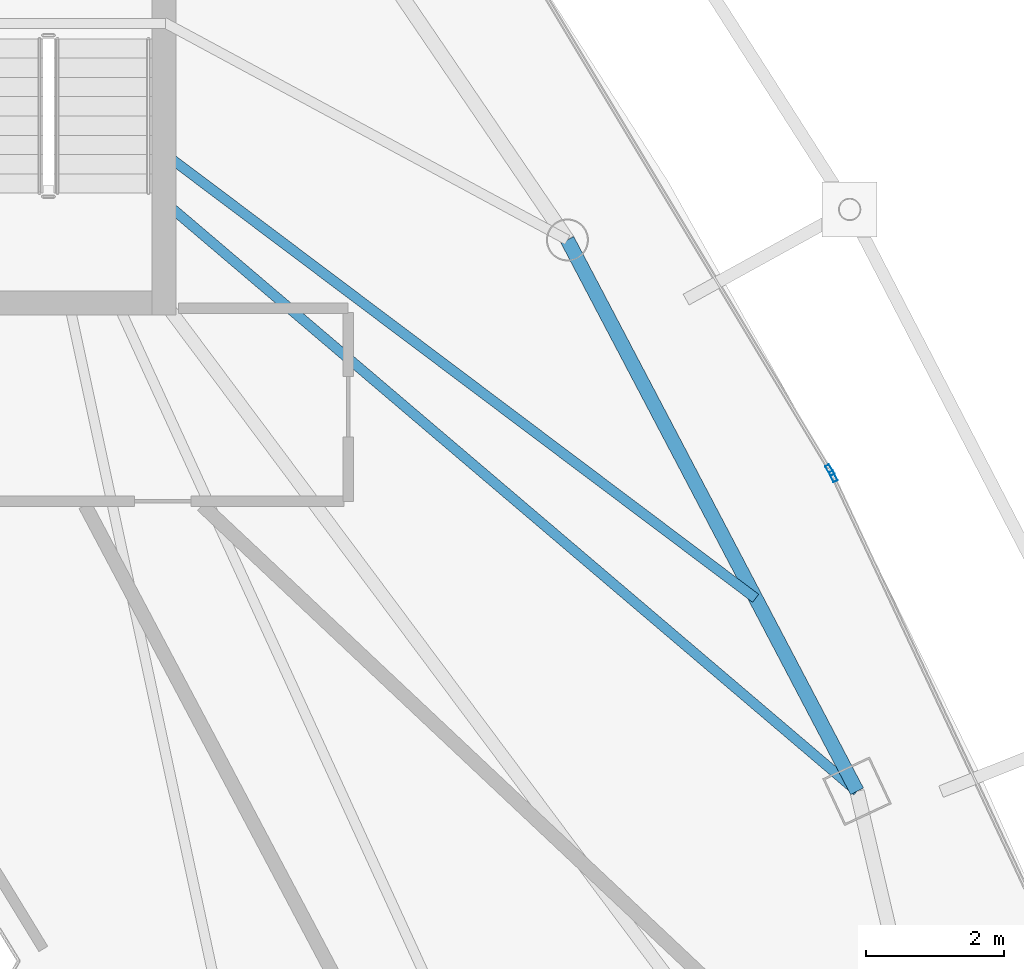
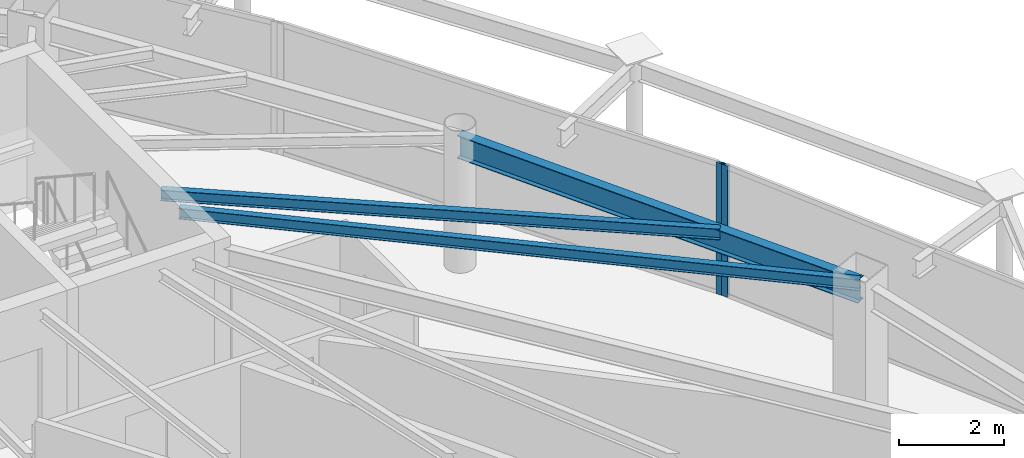
# One storey, part 17 of 29: 3 beams, 2 members, 2 elements without a shape of their own.
"""IFC4 building model written with IfcOpenShell, lengths in metres."""

from ifc_helpers import new_model, si_unit, direction, frame, origin, origin_2d, place, context, subcontext, project, spatial, hollow_rectangle, i_section, extrude, material, layer, layer_set, material_profile, profile_set, type_object, element, aggregate, save


model = new_model("IFC4")

# Units and contexts
model_context = context("Model", 3, precision=1e-05, world=origin(), true_north=direction((0.0, 1.0)))
body_context = subcontext(model_context, "Body", "Model", "MODEL_VIEW")
ifc_project = project(units=[si_unit("LENGTHUNIT", "METRE"), si_unit("AREAUNIT", "SQUARE_METRE"), si_unit("VOLUMEUNIT", "CUBIC_METRE"), si_unit("PLANEANGLEUNIT", "RADIAN"), si_unit("MASSUNIT", "GRAM", prefix="KILO")], contexts=[model_context])

# Site, building, storey
site_placement = place(None, origin())
site = spatial("IfcSite", under=ifc_project, at=site_placement, CompositionType="ELEMENT")
building_placement = place(site_placement, origin())
building = spatial("IfcBuilding", under=site, at=building_placement, Name="Orvanel Arch Residences", CompositionType="ELEMENT")
storey_placement = place(building_placement, frame((0.0, 0.0, 246.949951171875)))
storey = spatial("IfcBuildingStorey", under=building, at=storey_placement, Name="L70", CompositionType="ELEMENT", Elevation=246.949951171875)

# Beams
ifc_material_1 = material(Name="Structural steel AS/NZS 3679.1 Grade 300 (300 MPa)", Category="steel")
ifc_material_profile_1 = material_profile(ifc_material_1, i_section(OverallWidth=0.14599609375, OverallDepth=0.251953125, WebThickness=0.006103515625, FlangeThickness=0.008544921875, at=origin_2d()), Name="250UB31.4")
ifc_profile_set_1 = profile_set([ifc_material_profile_1], Name="Structural steel AS/NZS 3679.1 Grade 300 (300 MPa)")
beam_type_1 = type_object("IfcBeamType", Name="BJ-250UB", PredefinedType="JOIST", material=ifc_profile_set_1)
beam_1_placement = place(storey_placement, frame((39.574951171875, 28.199951171875, 2.93408203125), z_axis=(0.761622669031, -0.64802076357, 0.0), x_axis=(0.64802076357, 0.761622669031, 0.0)))
element("IfcBeam", 1, at=beam_1_placement, inside=storey, type_object=beam_type_1, Name="L70 E Wing Floor Joist", PredefinedType="JOIST", context=body_context, shape_type="SweptSolid", body=[
    extrude(i_section(OverallWidth=0.14599609375, OverallDepth=0.251953125, WebThickness=0.006103515625, FlangeThickness=0.008544921875, at=origin_2d()), origin(), (0.0, 0.0, 1.0), 13.2060546875),
])
beam_2_placement = place(storey_placement, frame((39.574951171875, 28.89990234375, 2.93408203125), z_axis=(0.799211300837, -0.60105016148, 0.0), x_axis=(0.60105016148, 0.799211300837, 0.0)))
element("IfcBeam", 2, at=beam_2_placement, inside=storey, type_object=beam_type_1, Name="L70 CTE Wing Floor Joist", PredefinedType="JOIST", context=body_context, shape_type="SweptSolid", body=[
    extrude(i_section(OverallWidth=0.14599609375, OverallDepth=0.251953125, WebThickness=0.006103515625, FlangeThickness=0.008544921875, at=origin_2d()), origin(), (0.0, 0.0, 1.0), 10.74462890625),
])

# Curtain wall, member
ifc_material_2 = material(Name="Bronze-anodised aluminium AA6063-T6", Category="aluminium")
ifc_layer = layer(ifc_material_2, 0.175048828125)
ifc_layer_set = layer_set([ifc_layer], Name="Bronze-anodised aluminium AA6063-T6")
curtain_wall_type = type_object("IfcCurtainWallType", Name="CW4-HI-SYS", PredefinedType="NOTDEFINED", material=ifc_layer_set)
curtain_wall_1_placement = place(storey_placement, origin())
curtain_wall_1 = element("IfcCurtainWall", 3, at=curtain_wall_1_placement, inside=storey, type_object=curtain_wall_type, Name="L70 CW4-HI-SYS Unitised Curtain Wall", PredefinedType="NOTDEFINED")
ifc_material_profile_2 = material_profile(ifc_material_2, hollow_rectangle(XDim=0.06494140625, YDim=0.159912109375, WallThickness=0.00390625, at=origin_2d()), Name="ALU160x65x4")
ifc_profile_set_2 = profile_set([ifc_material_profile_2], Name="Bronze-anodised aluminium AA6063-T6")
member_type = type_object("IfcMemberType", Name="MUL-160x65", PredefinedType="MULLION", material=ifc_profile_set_2)
member_1_placement = place(storey_placement, frame((49.286865234375, 24.21044921875, 0.0), z_axis=(0.0, 0.0, 1.0), x_axis=(-0.9059146694, -0.423460283576, 0.0)))
member_1 = element("IfcMember", 4, at=member_1_placement, type_object=member_type, Name="CW-S4 mullion 2", PredefinedType="MULLION", context=body_context, shape_type="SweptSolid", body=[
    extrude(hollow_rectangle(XDim=0.06494140625, YDim=0.159912109375, WallThickness=0.00390625, at=origin_2d()), origin(), (0.0, 0.0, 1.0), 3.06005859375),
])
aggregate(curtain_wall_1, [member_1])

curtain_wall_2_placement = place(storey_placement, origin())
curtain_wall_2 = element("IfcCurtainWall", 5, at=curtain_wall_2_placement, inside=storey, type_object=curtain_wall_type, Name="L70 CW4-HI-SYS Unitised Curtain Wall", PredefinedType="NOTDEFINED")
member_2_placement = place(storey_placement, frame((49.23828125, 24.302978515625, 0.0), z_axis=(0.0, 0.0, 1.0), x_axis=(-0.857511192375, -0.514465309766, 0.0)))
member_2 = element("IfcMember", 6, at=member_2_placement, type_object=member_type, Name="CW-S4 mullion 1", PredefinedType="MULLION", context=body_context, shape_type="SweptSolid", body=[
    extrude(hollow_rectangle(XDim=0.06494140625, YDim=0.159912109375, WallThickness=0.00390625, at=origin_2d()), origin(), (0.0, 0.0, 1.0), 3.06005859375),
])
aggregate(curtain_wall_2, [member_2])

# Beam
ifc_material_profile_3 = material_profile(ifc_material_1, i_section(OverallWidth=0.208984375, OverallDepth=0.532958984375, WebThickness=0.01025390625, FlangeThickness=0.015625, at=origin_2d()), Name="530UB92.4")
ifc_profile_set_3 = profile_set([ifc_material_profile_3], Name="Structural steel AS/NZS 3679.1 Grade 300 (300 MPa)")
beam_type_2 = type_object("IfcBeamType", Name="SP-530UB", PredefinedType="SPANDREL", material=ifc_profile_set_3)
beam_3_placement = place(storey_placement, frame((49.633056640625, 19.64208984375, 2.79296875), z_axis=(-0.465064762793, 0.885276660942, 0.0), x_axis=(-0.885276660942, -0.465064762793, 0.0)))
element("IfcBeam", 7, at=beam_3_placement, inside=storey, type_object=beam_type_2, Name="L70 Perimeter Spandrel Beam 07", PredefinedType="SPANDREL", context=body_context, shape_type="SweptSolid", body=[
    extrude(i_section(OverallWidth=0.208984375, OverallDepth=0.532958984375, WebThickness=0.01025390625, FlangeThickness=0.015625, at=origin_2d()), origin(), (0.0, 0.0, 1.0), 9.03564453125),
])

save(model, "model.ifc")
